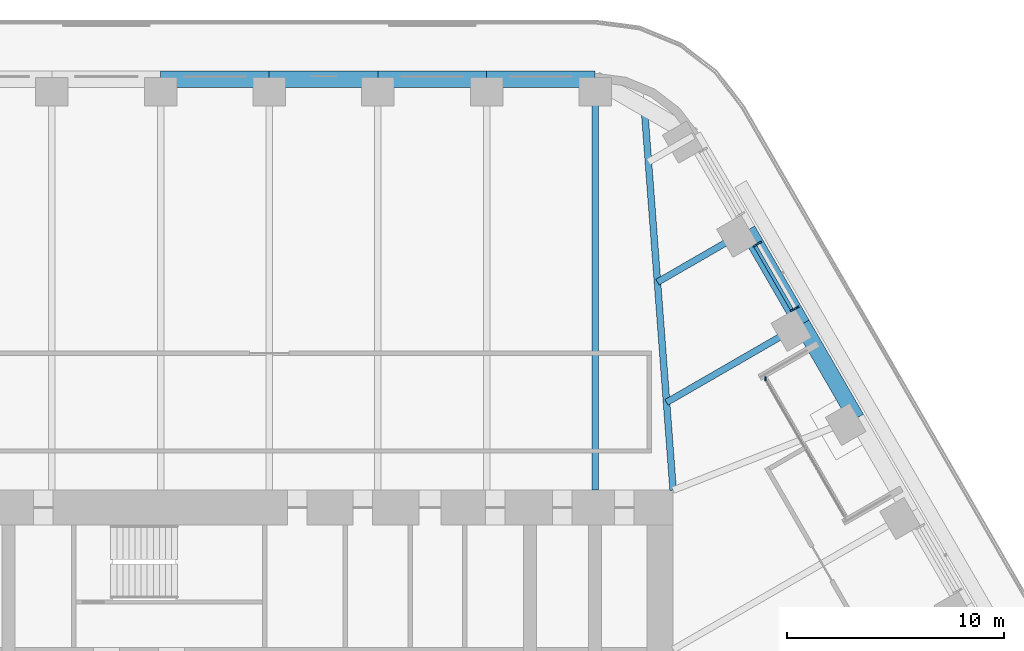
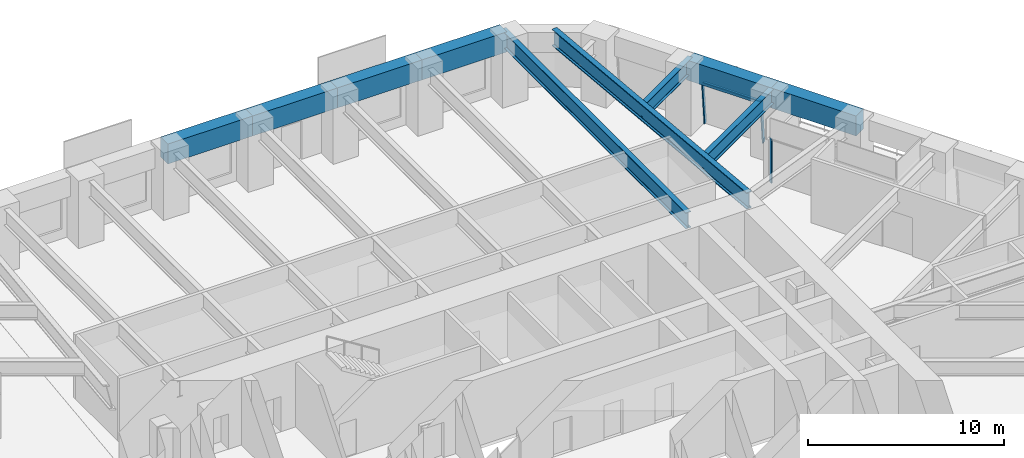
# One storey, part 12 of 24: 10 beams, 4 members, 2 elements without a shape of their own.
"""IFC4 building model written with IfcOpenShell, lengths in metres."""

from ifc_helpers import new_model, si_unit, direction, frame, origin, origin_2d, place, context, subcontext, project, spatial, rectangle, i_section, extrude, material, material_profile, profile_set, type_object, element, aggregate, save


model = new_model("IFC4")

# Units and contexts
model_context = context("Model", 3, precision=1e-05, world=origin(), true_north=direction((0.0, 1.0)))
body_context = subcontext(model_context, "Body", "Model", "MODEL_VIEW")
ifc_project = project(units=[si_unit("LENGTHUNIT", "METRE"), si_unit("AREAUNIT", "SQUARE_METRE"), si_unit("VOLUMEUNIT", "CUBIC_METRE"), si_unit("PLANEANGLEUNIT", "RADIAN"), si_unit("MASSUNIT", "GRAM", prefix="KILO")], contexts=[model_context])

# Site, building, storey
site_placement = place(None, origin())
site = spatial("IfcSite", under=ifc_project, at=site_placement, CompositionType="ELEMENT")
building_placement = place(site_placement, origin())
building = spatial("IfcBuilding", under=site, at=building_placement, Name="Tarfa Lantern Tower", CompositionType="ELEMENT")
storey_placement = place(building_placement, frame((0.0, 0.0, 182.5)))
storey = spatial("IfcBuildingStorey", under=building, at=storey_placement, Name="L41", CompositionType="ELEMENT", Elevation=182.5)

# Curtain wall, members
ifc_material_1 = material(Name="Aluminium framed curtain wall", Category="aluminium")
curtain_wall_type_1 = type_object("IfcCurtainWallType", Name="CW2 CANTED GLAZING MID ZONE 2750", PredefinedType="USERDEFINED", material=ifc_material_1)
curtain_wall_1_placement = place(storey_placement, origin())
curtain_wall_1 = element("IfcCurtainWall", 1, at=curtain_wall_1_placement, inside=storey, type_object=curtain_wall_type_1, Name="CW2 NEB L41", ObjectType="CURTAIN WALL", PredefinedType="USERDEFINED")
ifc_material_2 = material(Name="Aluminium mullion", Category="aluminium")
ifc_material_profile_1 = material_profile(ifc_material_2, rectangle(XDim=0.06494140625, YDim=0.199951171875, at=origin_2d()), Name="AL MULLION 65x200")
ifc_profile_set_1 = profile_set([ifc_material_profile_1], Name="Aluminium mullion")
member_type_1 = type_object("IfcMemberType", Name="CWM1 MULLION 65x200", PredefinedType="MULLION", material=ifc_profile_set_1)
member_1_placement = place(storey_placement, frame((24.300048828125, 20.7109375, 0.0), z_axis=(-0.078422950161, -0.045267813396, 0.995891894715), x_axis=(0.499919672301, -0.866071776036, 0.0)))
member_1 = element("IfcMember", 2, at=member_1_placement, type_object=member_type_1, Name="CW2 mullion 1", PredefinedType="MULLION", context=body_context, shape_type="SweptSolid", body=[
    extrude(rectangle(XDim=0.06494140625, YDim=0.199951171875, at=origin_2d()), origin(), (0.0, 0.0, 1.0), 2.76123046875),
])
member_2_placement = place(storey_placement, frame((22.580810546875, 23.68896484375, 0.0), z_axis=(-0.078422950161, -0.045267813396, 0.995891894715), x_axis=(0.499919672301, -0.866071776036, 0.0)))
member_2 = element("IfcMember", 3, at=member_2_placement, type_object=member_type_1, Name="CW2 mullion 2", PredefinedType="MULLION", context=body_context, shape_type="SweptSolid", body=[
    extrude(rectangle(XDim=0.06494140625, YDim=0.199951171875, at=origin_2d()), origin(), (0.0, 0.0, 1.0), 2.76123046875),
])

# Curtain wall, member
curtain_wall_type_2 = type_object("IfcCurtainWallType", Name="CW10 LOGGIA GLAZING 2750", PredefinedType="USERDEFINED", material=ifc_material_1)
curtain_wall_2_placement = place(storey_placement, origin())
curtain_wall_2 = element("IfcCurtainWall", 4, at=curtain_wall_2_placement, inside=storey, type_object=curtain_wall_type_2, Name="CW10 NEL L41", ObjectType="CURTAIN WALL", PredefinedType="USERDEFINED")
member_3_placement = place(storey_placement, frame((22.84619140625, 17.429443359375, 0.0), z_axis=(0.0, 0.0, 1.0), x_axis=(1.0, 0.0, 0.0)))
member_3 = element("IfcMember", 5, at=member_3_placement, type_object=member_type_1, Name="CW10 mullion 3", PredefinedType="MULLION", context=body_context, shape_type="SweptSolid", body=[
    extrude(rectangle(XDim=0.06494140625, YDim=0.199951171875, at=origin_2d()), origin(), (0.0, 0.0, 1.0), 2.75),
])
aggregate(curtain_wall_2, [member_3])

# Member
ifc_material_3 = material(Name="Aluminium transom", Category="aluminium")
ifc_material_profile_2 = material_profile(ifc_material_3, rectangle(XDim=0.14990234375, YDim=0.06494140625, at=origin_2d()), Name="AL TRANSOM 150x65")
ifc_profile_set_2 = profile_set([ifc_material_profile_2], Name="Aluminium transom")
member_type_2 = type_object("IfcMemberType", Name="CWT1 TRANSOM 150x65", PredefinedType="USERDEFINED", material=ifc_profile_set_2)
member_4_placement = place(storey_placement, frame((24.06982421875, 20.61572265625, 2.717529296875), z_axis=(-0.499991822116, 0.866030125237, 0.0), x_axis=(-0.866030125237, -0.499991822116, 0.0)))
member_4 = element("IfcMember", 6, at=member_4_placement, type_object=member_type_2, Name="CW2 transom 1.2", ObjectType="TRANSOM", PredefinedType="USERDEFINED", context=body_context, shape_type="SweptSolid", body=[
    extrude(rectangle(XDim=0.14990234375, YDim=0.06494140625, at=origin_2d()), origin(), (0.0, 0.0, 1.0), 3.37353515625),
])

aggregate(curtain_wall_1, [member_1, member_2, member_4])

# Beams
ifc_material_4 = material(Name="Concrete C80/95", Category="concrete")
ifc_material_profile_3 = material_profile(ifc_material_4, rectangle(XDim=0.75, YDim=1.25, at=origin_2d()), Name="RC 750x1250")
ifc_profile_set_3 = profile_set([ifc_material_profile_3], Name="Concrete C80/95")
beam_type_1 = type_object("IfcBeamType", Name="EB2 RC 750x1250", PredefinedType="SPANDREL", material=ifc_profile_set_3)
for number, where, z_axis, x_axis, name in (
    (7, (27.037353515625, 15.610107421875, 3.375), (-0.500022324899, 0.866012514114, 0.0), (-0.866012514114, -0.500022324899, 0.0), "Edge beam NE3"),
    (8, (24.535400390625, 19.943359375, 3.375), (-0.49998573051, 0.866033642122, 0.0), (-0.866033642122, -0.49998573051, 0.0), "Edge beam NE4"),
    (9, (15.010986328125, 31.219970703125, 3.375), (-1.0, 0.0, 0.0), (0.0, -1.0, 0.0), "Edge beam N0"),
    (10, (10.00732421875, 31.219970703125, 3.375), (-1.0, 0.0, 0.0), (0.0, -1.0, 0.0), "Edge beam N1"),
    (11, (5.003662109375, 31.219970703125, 3.375), (-1.0, 0.0, 0.0), (0.0, -1.0, 0.0), "Edge beam N2"),
    (12, (0.0, 31.219970703125, 3.375), (-1.0, 0.0, 0.0), (0.0, -1.0, 0.0), "Edge beam N3"),
):
    element("IfcBeam", number, at=place(storey_placement, frame(where, z_axis=z_axis, x_axis=x_axis)), inside=storey, type_object=beam_type_1, Name=name, PredefinedType="SPANDREL", context=body_context, shape_type="SweptSolid", body=[
        extrude(rectangle(XDim=0.75, YDim=1.25, at=origin_2d()), origin(), (0.0, 0.0, 1.0), 5.003662109375),
    ])
ifc_material_5 = material(Name="Steel S460M", Category="steel")
ifc_material_profile_4 = material_profile(ifc_material_5, i_section(OverallWidth=0.302001953125, OverallDepth=1.008056640625, WebThickness=0.02099609375, FlangeThickness=0.0400390625, FilletRadius=0.030029296875, at=origin_2d()), Name="UB1016x305x349")
ifc_profile_set_4 = profile_set([ifc_material_profile_4], Name="Steel S460M")
beam_type_2 = type_object("IfcBeamType", Name="UB1016x305x349", PredefinedType="BEAM", material=ifc_profile_set_4)
beam_1_placement = place(storey_placement, frame((15.010986328125, 31.219970703125, 3.495849609375), z_axis=(0.0, -1.0, 0.0), x_axis=(1.0, 0.0, 0.0)))
element("IfcBeam", 13, at=beam_1_placement, inside=storey, type_object=beam_type_2, Name="Floor beam N0", PredefinedType="BEAM", context=body_context, shape_type="SweptSolid", body=[
    extrude(i_section(OverallWidth=0.302001953125, OverallDepth=1.008056640625, WebThickness=0.02099609375, FlangeThickness=0.0400390625, FilletRadius=0.030029296875, at=origin_2d()), origin(), (0.0, 0.0, 1.0), 18.919921875),
])
ifc_material_profile_5 = material_profile(ifc_material_5, i_section(OverallWidth=0.30859375, OverallDepth=1.036376953125, WebThickness=0.030029296875, FlangeThickness=0.05419921875, FilletRadius=0.030029296875, at=origin_2d()), Name="UB1016x305x487")
ifc_profile_set_5 = profile_set([ifc_material_profile_5], Name="Steel S460M")
beam_type_3 = type_object("IfcBeamType", Name="UB1016x305x487", PredefinedType="BEAM", material=ifc_profile_set_5)
beam_2_placement = place(storey_placement, frame((18.60009765625, 12.300048828125, 3.48193359375), z_axis=(-0.075211516041, 0.99716760269, 0.0), x_axis=(-0.99716760269, -0.075211516041, 0.0)))
element("IfcBeam", 14, at=beam_2_placement, inside=storey, type_object=beam_type_3, Name="Hip girder NE", PredefinedType="BEAM", context=body_context, shape_type="SweptSolid", body=[
    extrude(i_section(OverallWidth=0.30859375, OverallDepth=1.036376953125, WebThickness=0.030029296875, FlangeThickness=0.05419921875, FilletRadius=0.030029296875, at=origin_2d()), origin(), (0.0, 0.0, 1.0), 17.6650390625),
])
ifc_material_profile_6 = material_profile(ifc_material_5, i_section(OverallWidth=0.305419921875, OverallDepth=0.91845703125, WebThickness=0.017333984375, FlangeThickness=0.02783203125, FilletRadius=0.01904296875, at=origin_2d()), Name="UB914x305x253")
ifc_profile_set_6 = profile_set([ifc_material_profile_6], Name="Steel S460M")
beam_type_4 = type_object("IfcBeamType", Name="UB914x305x253", PredefinedType="BEAM", material=ifc_profile_set_6)
beam_3_placement = place(storey_placement, frame((24.535400390625, 19.943359375, 3.540771484375), z_axis=(-0.86602647304, -0.499998147991, 0.0), x_axis=(0.499998147991, -0.86602647304, 0.0)))
element("IfcBeam", 15, at=beam_3_placement, inside=storey, type_object=beam_type_4, Name="Floor beam NE4", PredefinedType="BEAM", context=body_context, shape_type="SweptSolid", body=[
    extrude(i_section(OverallWidth=0.305419921875, OverallDepth=0.91845703125, WebThickness=0.017333984375, FlangeThickness=0.02783203125, FilletRadius=0.01904296875, at=origin_2d()), origin(), (0.0, 0.0, 1.0), 7.20556640625),
])
beam_4_placement = place(storey_placement, frame((22.03369140625, 24.276611328125, 3.540771484375), z_axis=(-0.866030550462, -0.499991085587, 0.0), x_axis=(0.499991085587, -0.866030550462, 0.0)))
element("IfcBeam", 16, at=beam_4_placement, inside=storey, type_object=beam_type_4, Name="Floor beam NE5", PredefinedType="BEAM", context=body_context, shape_type="SweptSolid", body=[
    extrude(i_section(OverallWidth=0.305419921875, OverallDepth=0.91845703125, WebThickness=0.017333984375, FlangeThickness=0.02783203125, FilletRadius=0.01904296875, at=origin_2d()), origin(), (0.0, 0.0, 1.0), 4.798828125),
])

save(model, "model.ifc")
